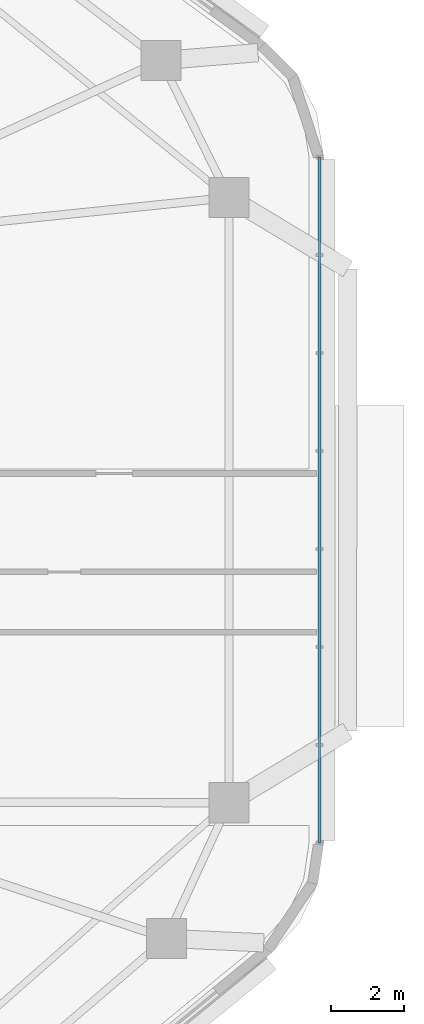
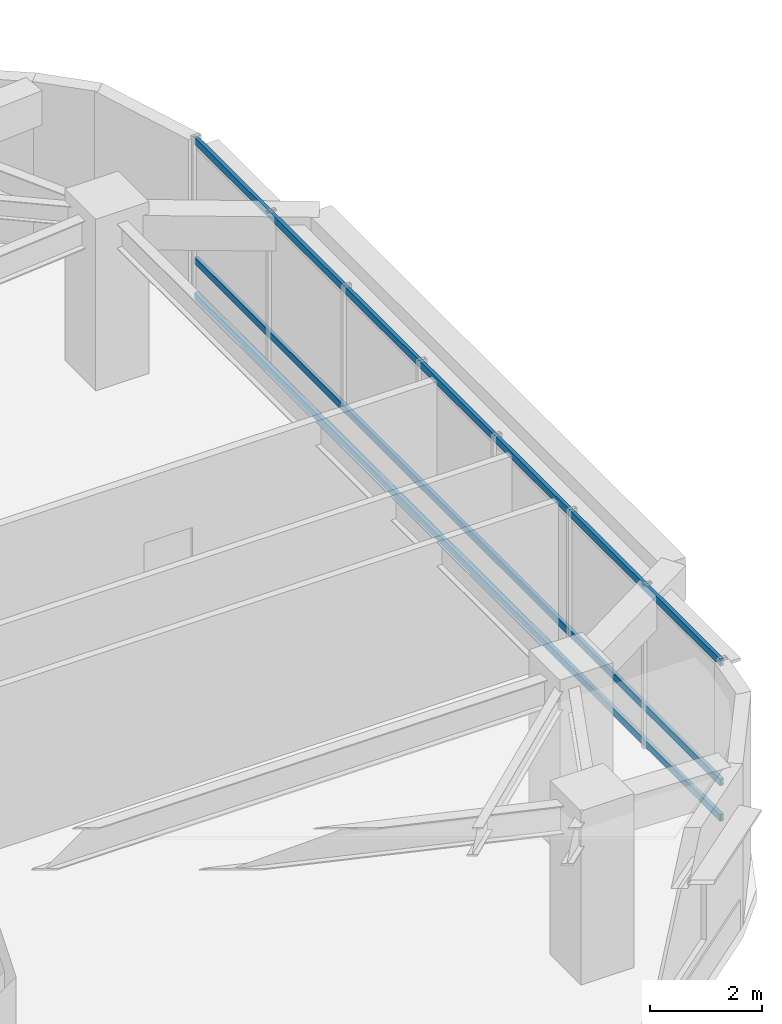
# One storey, part 4 of 15: 3 members, 1 element without a shape of its own.
"""IFC4 building model written with IfcOpenShell, lengths in metres."""

from ifc_helpers import new_model, si_unit, direction, frame, origin, origin_2d, place, context, subcontext, project, spatial, hollow_rectangle, extrude, material, material_profile, profile_set, type_object, element, aggregate, save


model = new_model("IFC4")

# Units and contexts
model_context = context("Model", 3, precision=1e-05, world=origin(), true_north=direction((0.0, 1.0)))
body_context = subcontext(model_context, "Body", "Model", "MODEL_VIEW")
ifc_project = project(units=[si_unit("LENGTHUNIT", "METRE"), si_unit("AREAUNIT", "SQUARE_METRE"), si_unit("VOLUMEUNIT", "CUBIC_METRE"), si_unit("PLANEANGLEUNIT", "RADIAN"), si_unit("MASSUNIT", "GRAM", prefix="KILO")], contexts=[model_context])

# Site, building, storey
site_placement = place(None, origin())
site = spatial("IfcSite", under=ifc_project, at=site_placement, CompositionType="ELEMENT")
building_placement = place(site_placement, origin())
building = spatial("IfcBuilding", under=site, at=building_placement, Name="Zulverin Broadcast Headquarters", CompositionType="ELEMENT")
storey_placement = place(building_placement, frame((0.0, 0.0, 132.60009765625)))
storey = spatial("IfcBuildingStorey", under=building, at=storey_placement, Name="L33", CompositionType="ELEMENT", Elevation=132.60009765625)

# Curtain wall, members
ifc_material_1 = material(Name="Waist wind-pressure unitised curtain wall", Category="aluminium")
curtain_wall_type = type_object("IfcCurtainWallType", Name="CW-TWR-WST", PredefinedType="USERDEFINED", material=ifc_material_1)
curtain_wall_placement = place(storey_placement, origin())
curtain_wall = element("IfcCurtainWall", 1, at=curtain_wall_placement, inside=storey, type_object=curtain_wall_type, Name="L33 Unitised Curtain Wall CW-L33-E3", ObjectType="UNITISED CURTAIN WALL", PredefinedType="USERDEFINED")
ifc_material_2 = material(Name="Anodized pale-metal aluminium alloy 6063-T6", Category="aluminium")
ifc_material_profile = material_profile(ifc_material_2, hollow_rectangle(XDim=0.074951171875, YDim=0.14990234375, WallThickness=0.0048828125, at=origin_2d()), Name="Anodized pale-metal aluminium alloy 6063-T6", Category="aluminium")
ifc_profile_set = profile_set([ifc_material_profile], Name="Anodized pale-metal aluminium alloy 6063-T6")
member_type = type_object("IfcMemberType", Name="CW-TRN-150", PredefinedType="USERDEFINED", material=ifc_profile_set)
member_1_placement = place(storey_placement, frame((63.080078125, 16.418212890625, 0.074951171875), z_axis=(0.0, 1.0, 0.0), x_axis=(-1.0, 0.0, 0.0)))
member_1 = element("IfcMember", 2, at=member_1_placement, type_object=member_type, Name="CW-L33-E3 Transom 0", ObjectType="TRANSOM", PredefinedType="USERDEFINED", context=body_context, shape_type="SweptSolid", body=[
    extrude(hollow_rectangle(XDim=0.074951171875, YDim=0.14990234375, WallThickness=0.0048828125, at=origin_2d()), origin(), (0.0, 0.0, 1.0), 18.811767578125),
])
member_2_placement = place(storey_placement, frame((63.080078125, 16.418212890625, 0.849609375), z_axis=(0.0, 1.0, 0.0), x_axis=(-1.0, 0.0, 0.0)))
member_2 = element("IfcMember", 3, at=member_2_placement, type_object=member_type, Name="CW-L33-E3 Transom 1", ObjectType="TRANSOM", PredefinedType="USERDEFINED", context=body_context, shape_type="SweptSolid", body=[
    extrude(hollow_rectangle(XDim=0.074951171875, YDim=0.14990234375, WallThickness=0.0048828125, at=origin_2d()), origin(), (0.0, 0.0, 1.0), 18.811767578125),
])
member_3_placement = place(storey_placement, frame((63.080078125, 16.418212890625, 3.46484375), z_axis=(0.0, 1.0, 0.0), x_axis=(-1.0, 0.0, 0.0)))
member_3 = element("IfcMember", 4, at=member_3_placement, type_object=member_type, Name="CW-L33-E3 Transom 2", ObjectType="TRANSOM", PredefinedType="USERDEFINED", context=body_context, shape_type="SweptSolid", body=[
    extrude(hollow_rectangle(XDim=0.074951171875, YDim=0.14990234375, WallThickness=0.0048828125, at=origin_2d()), origin(), (0.0, 0.0, 1.0), 18.811767578125),
])
aggregate(curtain_wall, [member_1, member_2, member_3])

save(model, "model.ifc")
